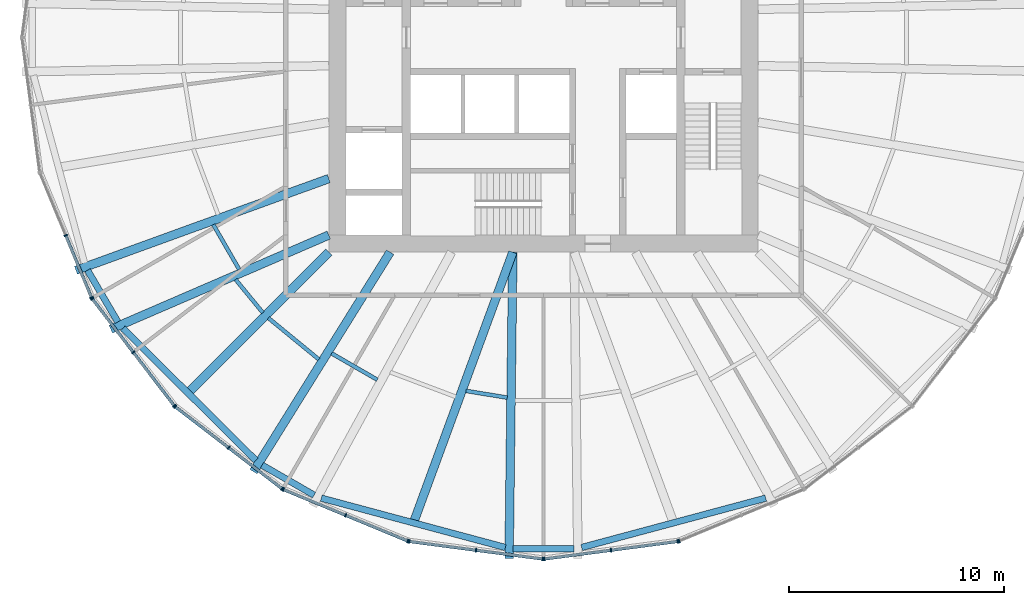
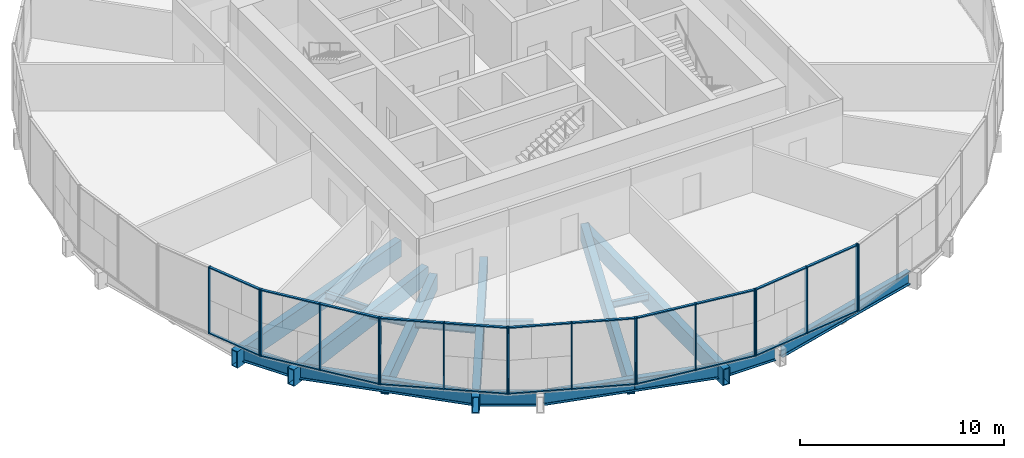
# One storey, part 1 of 13: 40 members, 17 beams, 7 elements without a shape of their own.
"""IFC4 building model written with IfcOpenShell, lengths in metres."""

from ifc_helpers import new_model, si_unit, direction, frame, origin, origin_2d, place, context, subcontext, project, spatial, rectangle, hollow_rectangle, i_section, extrude, material, material_profile, profile_set, type_object, element, aggregate, save


model = new_model("IFC4")

# Units and contexts
model_context = context("Model", 3, precision=1e-05, world=origin(), true_north=direction((0.0, 1.0)))
body_context = subcontext(model_context, "Body", "Model", "MODEL_VIEW")
ifc_project = project(units=[si_unit("LENGTHUNIT", "METRE"), si_unit("AREAUNIT", "SQUARE_METRE"), si_unit("VOLUMEUNIT", "CUBIC_METRE"), si_unit("PLANEANGLEUNIT", "RADIAN"), si_unit("MASSUNIT", "GRAM", prefix="KILO")], contexts=[model_context])

# Site, building, storey
site_placement = place(None, origin())
site = spatial("IfcSite", under=ifc_project, at=site_placement, CompositionType="ELEMENT")
building_placement = place(site_placement, origin())
building = spatial("IfcBuilding", under=site, at=building_placement, Name="Golbaran Civic Tower", CompositionType="ELEMENT")
storey_placement = place(building_placement, frame((0.0, 0.0, 81.0)))
storey = spatial("IfcBuildingStorey", under=building, at=storey_placement, Name="L19", CompositionType="ELEMENT", Elevation=81.0)

# Beams
ifc_material_1 = material(Name="Steel S355", Category="steel")
ifc_material_profile_1 = material_profile(ifc_material_1, i_section(OverallWidth=0.300048828125, OverallDepth=0.800048828125, WebThickness=0.017578125, FlangeThickness=0.032958984375, FilletRadius=0.030029296875, at=origin_2d()), Name="HEB 800")
ifc_profile_set_1 = profile_set([ifc_material_profile_1], Name="Steel S355")
beam_type_1 = type_object("IfcBeamType", Name="EDGE BEAM HEB 800", PredefinedType="BEAM", material=ifc_profile_set_1)
beam_1_placement = place(storey_placement, frame((-21.234619140625, -10.838623046875, -0.60009765625), z_axis=(0.505995527103, -0.862536101593, 0.0), x_axis=(0.862536101593, 0.505995527103, 0.0)))
element("IfcBeam", 1, at=beam_1_placement, inside=storey, type_object=beam_type_1, Name="Edge beam 206.30 L19", PredefinedType="BEAM", context=body_context, shape_type="SweptSolid", body=[
    extrude(i_section(OverallWidth=0.300048828125, OverallDepth=0.800048828125, WebThickness=0.017578125, FlangeThickness=0.032958984375, FilletRadius=0.030029296875, at=origin_2d()), origin(), (0.0, 0.0, 1.0), 2.791748046875),
])
beam_2_placement = place(storey_placement, frame((-19.5927734375, -13.53955078125, -0.60009765625), z_axis=(0.70960352002, -0.704601195269, 0.0), x_axis=(0.704601195269, 0.70960352002, 0.0)))
element("IfcBeam", 2, at=beam_2_placement, inside=storey, type_object=beam_type_1, Name="Edge beam 213.70 L19", PredefinedType="BEAM", context=body_context, shape_type="SweptSolid", body=[
    extrude(i_section(OverallWidth=0.300048828125, OverallDepth=0.800048828125, WebThickness=0.017578125, FlangeThickness=0.032958984375, FilletRadius=0.030029296875, at=origin_2d()), origin(), (0.0, 0.0, 1.0), 8.736083984375),
])
beam_3_placement = place(storey_placement, frame((-13.1064453125, -19.9150390625, -0.60009765625), z_axis=(0.866130378223, -0.499818134844, 0.0), x_axis=(0.499818134844, 0.866130378223, 0.0)))
element("IfcBeam", 3, at=beam_3_placement, inside=storey, type_object=beam_type_1, Name="Edge beam 236.30 L19", PredefinedType="BEAM", context=body_context, shape_type="SweptSolid", body=[
    extrude(i_section(OverallWidth=0.300048828125, OverallDepth=0.800048828125, WebThickness=0.017578125, FlangeThickness=0.032958984375, FilletRadius=0.030029296875, at=origin_2d()), origin(), (0.0, 0.0, 1.0), 2.7978515625),
])
beam_4_placement = place(storey_placement, frame((-10.34814453125, -21.451416015625, -0.60009765625), z_axis=(0.965861810463, -0.259057837344, 0.0), x_axis=(0.259057837344, 0.965861810463, 0.0)))
element("IfcBeam", 4, at=beam_4_placement, inside=storey, type_object=beam_type_1, Name="Edge beam 243.70 L19", PredefinedType="BEAM", context=body_context, shape_type="SweptSolid", body=[
    extrude(i_section(OverallWidth=0.300048828125, OverallDepth=0.800048828125, WebThickness=0.017578125, FlangeThickness=0.032958984375, FilletRadius=0.030029296875, at=origin_2d()), origin(), (0.0, 0.0, 1.0), 8.874755859375),
])
beam_5_placement = place(storey_placement, frame((-1.4169921875, -23.798583984375, -0.60009765625), z_axis=(1.0, 0.0, 0.0), x_axis=(0.0, 1.0, 0.0)))
element("IfcBeam", 5, at=beam_5_placement, inside=storey, type_object=beam_type_1, Name="Edge beam 266.30 L19", PredefinedType="BEAM", context=body_context, shape_type="SweptSolid", body=[
    extrude(i_section(OverallWidth=0.300048828125, OverallDepth=0.800048828125, WebThickness=0.017578125, FlangeThickness=0.032958984375, FilletRadius=0.030029296875, at=origin_2d()), origin(), (0.0, 0.0, 1.0), 2.833984375),
])
beam_6_placement = place(storey_placement, frame((1.7763671875, -23.75048828125, -0.60009765625), z_axis=(0.965861810463, 0.259057837344, 0.0), x_axis=(-0.259057837344, 0.965861810463, 0.0)))
element("IfcBeam", 6, at=beam_6_placement, inside=storey, type_object=beam_type_1, Name="Edge beam 273.70 L19", PredefinedType="BEAM", context=body_context, shape_type="SweptSolid", body=[
    extrude(i_section(OverallWidth=0.300048828125, OverallDepth=0.800048828125, WebThickness=0.017578125, FlangeThickness=0.032958984375, FilletRadius=0.030029296875, at=origin_2d()), origin(), (0.0, 0.0, 1.0), 8.874755859375),
])
ifc_material_profile_2 = material_profile(ifc_material_1, i_section(OverallWidth=0.179931640625, OverallDepth=0.39990234375, WebThickness=0.008544921875, FlangeThickness=0.013427734375, FilletRadius=0.02099609375, at=origin_2d()), Name="IPE 400")
ifc_profile_set_2 = profile_set([ifc_material_profile_2], Name="Steel S355")
beam_type_2 = type_object("IfcBeamType", Name="FLOOR INFILL BEAM IPE 400", PredefinedType="BEAM", material=ifc_profile_set_2)
beam_7_placement = place(storey_placement, frame((-15.377197265625, -8.713623046875, -0.39990234375), z_axis=(0.500031663174, -0.866007122271, 0.0), x_axis=(0.866007122271, 0.500031663174, 0.0)))
element("IfcBeam", 7, at=beam_7_placement, inside=storey, type_object=beam_type_2, Name="Infill beam 210.00 L19", PredefinedType="BEAM", context=body_context, shape_type="SweptSolid", body=[
    extrude(i_section(OverallWidth=0.179931640625, OverallDepth=0.39990234375, WebThickness=0.008544921875, FlangeThickness=0.013427734375, FilletRadius=0.02099609375, at=origin_2d()), origin(), (0.0, 0.0, 1.0), 2.414794921875),
])
beam_8_placement = place(storey_placement, frame((-14.33837890625, -11.27001953125, -0.39990234375), z_axis=(0.634002188449, -0.77333125182, 0.0), x_axis=(0.77333125182, 0.634002188449, 0.0)))
element("IfcBeam", 8, at=beam_8_placement, inside=storey, type_object=beam_type_2, Name="Infill beam 219.35 L19", PredefinedType="BEAM", context=body_context, shape_type="SweptSolid", body=[
    extrude(i_section(OverallWidth=0.179931640625, OverallDepth=0.39990234375, WebThickness=0.008544921875, FlangeThickness=0.013427734375, FilletRadius=0.02099609375, at=origin_2d()), origin(), (0.0, 0.0, 1.0), 1.999267578125),
])
beam_9_placement = place(storey_placement, frame((-12.810302734375, -13.06494140625, -0.39990234375), z_axis=(0.773311950951, -0.634025730169, 0.0), x_axis=(0.634025730169, 0.773311950951, 0.0)))
element("IfcBeam", 9, at=beam_9_placement, inside=storey, type_object=beam_type_2, Name="Infill beam 230.65 L19", PredefinedType="BEAM", context=body_context, shape_type="SweptSolid", body=[
    extrude(i_section(OverallWidth=0.179931640625, OverallDepth=0.39990234375, WebThickness=0.008544921875, FlangeThickness=0.013427734375, FilletRadius=0.02099609375, at=origin_2d()), origin(), (0.0, 0.0, 1.0), 3.035888671875),
])
beam_10_placement = place(storey_placement, frame((-9.865478515625, -14.711669921875, -0.39990234375), z_axis=(0.866029801145, -0.49999238347, 0.0), x_axis=(0.49999238347, 0.866029801145, 0.0)))
element("IfcBeam", 10, at=beam_10_placement, inside=storey, type_object=beam_type_2, Name="Infill beam 240.00 L19", PredefinedType="BEAM", context=body_context, shape_type="SweptSolid", body=[
    extrude(i_section(OverallWidth=0.179931640625, OverallDepth=0.39990234375, WebThickness=0.008544921875, FlangeThickness=0.013427734375, FilletRadius=0.02099609375, at=origin_2d()), origin(), (0.0, 0.0, 1.0), 2.453125),
])
beam_11_placement = place(storey_placement, frame((-3.60791015625, -16.457275390625, -0.39990234375), z_axis=(0.986728144037, -0.162380940275, 0.0), x_axis=(0.162380940275, 0.986728144037, 0.0)))
element("IfcBeam", 11, at=beam_11_placement, inside=storey, type_object=beam_type_2, Name="Infill beam 260.65 L19", PredefinedType="BEAM", context=body_context, shape_type="SweptSolid", body=[
    extrude(i_section(OverallWidth=0.179931640625, OverallDepth=0.39990234375, WebThickness=0.008544921875, FlangeThickness=0.013427734375, FilletRadius=0.02099609375, at=origin_2d()), origin(), (0.0, 0.0, 1.0), 1.942626953125),
])

# Curtain wall, members
ifc_material_2 = material(Name="Aluminium and glass", Category="aluminium")
curtain_wall_type = type_object("IfcCurtainWallType", Name="INNER SKIN CURTAIN WALL", PredefinedType="NOTDEFINED", material=ifc_material_2)
curtain_wall_1_placement = place(storey_placement, origin())
curtain_wall_1 = element("IfcCurtainWall", 12, at=curtain_wall_1_placement, inside=storey, type_object=curtain_wall_type, Name="Inner skin L19 facet 14 CW1", ObjectType="INNER SKIN", PredefinedType="USERDEFINED")
ifc_material_3 = material(Name="Aluminium", Category="aluminium")
ifc_material_profile_3 = material_profile(ifc_material_3, rectangle(XDim=0.179931640625, YDim=0.06494140625, at=origin_2d()), Name="INNER SKIN CURTAIN WALL MULLION")
ifc_profile_set_3 = profile_set([ifc_material_profile_3], Name="Aluminium")
member_type_1 = type_object("IfcMemberType", Name="INNER SKIN CURTAIN WALL MULLION", PredefinedType="MULLION", material=ifc_profile_set_3)
member_1_placement = place(storey_placement, frame((-22.2490234375, -9.2158203125, 0.0), z_axis=(0.0, 0.0, 1.0), x_axis=(0.923879532478, 0.382683432446, 0.0)))
member_1 = element("IfcMember", 13, at=member_1_placement, type_object=member_type_1, Name="CW1 mullion 2", PredefinedType="MULLION", context=body_context, shape_type="SweptSolid", body=[
    extrude(rectangle(XDim=0.179931640625, YDim=0.06494140625, at=origin_2d()), origin(), (0.0, 0.0, 1.0), 4.0),
])
member_2_placement = place(storey_placement, frame((-21.048095703125, -12.114990234375, 0.0), z_axis=(0.0, 0.0, 1.0), x_axis=(0.923879532478, 0.382683432446, 0.0)))
member_2 = element("IfcMember", 14, at=member_2_placement, type_object=member_type_1, Name="CW1 mullion 3", PredefinedType="MULLION", context=body_context, shape_type="SweptSolid", body=[
    extrude(rectangle(XDim=0.179931640625, YDim=0.06494140625, at=origin_2d()), origin(), (0.0, 0.0, 1.0), 4.0),
])

curtain_wall_2_placement = place(storey_placement, origin())
curtain_wall_2 = element("IfcCurtainWall", 15, at=curtain_wall_2_placement, inside=storey, type_object=curtain_wall_type, Name="Inner skin L19 facet 15 CW1", ObjectType="INNER SKIN", PredefinedType="USERDEFINED")
member_3_placement = place(storey_placement, frame((-21.015869140625, -12.1708984375, 0.0), z_axis=(0.0, 0.0, 1.0), x_axis=(0.793353340281, 0.608761429023, 0.0)))
member_3 = element("IfcMember", 16, at=member_3_placement, type_object=member_type_1, Name="CW1 mullion 1", PredefinedType="MULLION", context=body_context, shape_type="SweptSolid", body=[
    extrude(rectangle(XDim=0.179931640625, YDim=0.06494140625, at=origin_2d()), origin(), (0.0, 0.0, 1.0), 4.0),
])
member_4_placement = place(storey_placement, frame((-19.105712890625, -14.660400390625, 0.0), z_axis=(0.0, 0.0, 1.0), x_axis=(0.793353340281, 0.608761429023, 0.0)))
member_4 = element("IfcMember", 17, at=member_4_placement, type_object=member_type_1, Name="CW1 mullion 2", PredefinedType="MULLION", context=body_context, shape_type="SweptSolid", body=[
    extrude(rectangle(XDim=0.179931640625, YDim=0.06494140625, at=origin_2d()), origin(), (0.0, 0.0, 1.0), 4.0),
])
member_5_placement = place(storey_placement, frame((-17.1953125, -17.14990234375, 0.0), z_axis=(0.0, 0.0, 1.0), x_axis=(0.793353340281, 0.608761429023, 0.0)))
member_5 = element("IfcMember", 18, at=member_5_placement, type_object=member_type_1, Name="CW1 mullion 3", PredefinedType="MULLION", context=body_context, shape_type="SweptSolid", body=[
    extrude(rectangle(XDim=0.179931640625, YDim=0.06494140625, at=origin_2d()), origin(), (0.0, 0.0, 1.0), 4.0),
])

curtain_wall_3_placement = place(storey_placement, origin())
curtain_wall_3 = element("IfcCurtainWall", 19, at=curtain_wall_3_placement, inside=storey, type_object=curtain_wall_type, Name="Inner skin L19 facet 16 CW1", ObjectType="INNER SKIN", PredefinedType="USERDEFINED")
member_6_placement = place(storey_placement, frame((-17.14990234375, -17.1953125, 0.0), z_axis=(0.0, 0.0, 1.0), x_axis=(0.608761429023, 0.793353340281, 0.0)))
member_6 = element("IfcMember", 20, at=member_6_placement, type_object=member_type_1, Name="CW1 mullion 1", PredefinedType="MULLION", context=body_context, shape_type="SweptSolid", body=[
    extrude(rectangle(XDim=0.179931640625, YDim=0.06494140625, at=origin_2d()), origin(), (0.0, 0.0, 1.0), 4.0),
])
member_7_placement = place(storey_placement, frame((-14.660400390625, -19.105712890625, 0.0), z_axis=(0.0, 0.0, 1.0), x_axis=(0.608761429023, 0.793353340281, 0.0)))
member_7 = element("IfcMember", 21, at=member_7_placement, type_object=member_type_1, Name="CW1 mullion 2", PredefinedType="MULLION", context=body_context, shape_type="SweptSolid", body=[
    extrude(rectangle(XDim=0.179931640625, YDim=0.06494140625, at=origin_2d()), origin(), (0.0, 0.0, 1.0), 4.0),
])
member_8_placement = place(storey_placement, frame((-12.1708984375, -21.015869140625, 0.0), z_axis=(0.0, 0.0, 1.0), x_axis=(0.608761429023, 0.793353340281, 0.0)))
member_8 = element("IfcMember", 22, at=member_8_placement, type_object=member_type_1, Name="CW1 mullion 3", PredefinedType="MULLION", context=body_context, shape_type="SweptSolid", body=[
    extrude(rectangle(XDim=0.179931640625, YDim=0.06494140625, at=origin_2d()), origin(), (0.0, 0.0, 1.0), 4.0),
])

curtain_wall_4_placement = place(storey_placement, origin())
curtain_wall_4 = element("IfcCurtainWall", 23, at=curtain_wall_4_placement, inside=storey, type_object=curtain_wall_type, Name="Inner skin L19 facet 17 CW1", ObjectType="INNER SKIN", PredefinedType="USERDEFINED")
member_9_placement = place(storey_placement, frame((-12.114990234375, -21.048095703125, 0.0), z_axis=(0.0, 0.0, 1.0), x_axis=(0.382683432446, 0.923879532478, 0.0)))
member_9 = element("IfcMember", 24, at=member_9_placement, type_object=member_type_1, Name="CW1 mullion 1", PredefinedType="MULLION", context=body_context, shape_type="SweptSolid", body=[
    extrude(rectangle(XDim=0.179931640625, YDim=0.06494140625, at=origin_2d()), origin(), (0.0, 0.0, 1.0), 4.0),
])
member_10_placement = place(storey_placement, frame((-9.2158203125, -22.2490234375, 0.0), z_axis=(0.0, 0.0, 1.0), x_axis=(0.382683432446, 0.923879532478, 0.0)))
member_10 = element("IfcMember", 25, at=member_10_placement, type_object=member_type_1, Name="CW1 mullion 2", PredefinedType="MULLION", context=body_context, shape_type="SweptSolid", body=[
    extrude(rectangle(XDim=0.179931640625, YDim=0.06494140625, at=origin_2d()), origin(), (0.0, 0.0, 1.0), 4.0),
])
member_11_placement = place(storey_placement, frame((-6.316650390625, -23.449951171875, 0.0), z_axis=(0.0, 0.0, 1.0), x_axis=(0.382683432446, 0.923879532478, 0.0)))
member_11 = element("IfcMember", 26, at=member_11_placement, type_object=member_type_1, Name="CW1 mullion 3", PredefinedType="MULLION", context=body_context, shape_type="SweptSolid", body=[
    extrude(rectangle(XDim=0.179931640625, YDim=0.06494140625, at=origin_2d()), origin(), (0.0, 0.0, 1.0), 4.0),
])

curtain_wall_5_placement = place(storey_placement, origin())
curtain_wall_5 = element("IfcCurtainWall", 27, at=curtain_wall_5_placement, inside=storey, type_object=curtain_wall_type, Name="Inner skin L19 facet 18 CW1", ObjectType="INNER SKIN", PredefinedType="USERDEFINED")
member_12_placement = place(storey_placement, frame((-6.25439453125, -23.466552734375, 0.0), z_axis=(0.0, 0.0, 1.0), x_axis=(0.130526192151, 0.991444861383, 0.0)))
member_12 = element("IfcMember", 28, at=member_12_placement, type_object=member_type_1, Name="CW1 mullion 1", PredefinedType="MULLION", context=body_context, shape_type="SweptSolid", body=[
    extrude(rectangle(XDim=0.179931640625, YDim=0.06494140625, at=origin_2d()), origin(), (0.0, 0.0, 1.0), 4.0),
])
member_13_placement = place(storey_placement, frame((-3.143310546875, -23.876220703125, 0.0), z_axis=(0.0, 0.0, 1.0), x_axis=(0.130526192151, 0.991444861383, 0.0)))
member_13 = element("IfcMember", 29, at=member_13_placement, type_object=member_type_1, Name="CW1 mullion 2", PredefinedType="MULLION", context=body_context, shape_type="SweptSolid", body=[
    extrude(rectangle(XDim=0.179931640625, YDim=0.06494140625, at=origin_2d()), origin(), (0.0, 0.0, 1.0), 4.0),
])
member_14_placement = place(storey_placement, frame((-0.0322265625, -24.28564453125, 0.0), z_axis=(0.0, 0.0, 1.0), x_axis=(0.130526192151, 0.991444861383, 0.0)))
member_14 = element("IfcMember", 30, at=member_14_placement, type_object=member_type_1, Name="CW1 mullion 3", PredefinedType="MULLION", context=body_context, shape_type="SweptSolid", body=[
    extrude(rectangle(XDim=0.179931640625, YDim=0.06494140625, at=origin_2d()), origin(), (0.0, 0.0, 1.0), 4.0),
])

curtain_wall_6_placement = place(storey_placement, origin())
curtain_wall_6 = element("IfcCurtainWall", 31, at=curtain_wall_6_placement, inside=storey, type_object=curtain_wall_type, Name="Inner skin L19 facet 19 CW1", ObjectType="INNER SKIN", PredefinedType="USERDEFINED")
member_15_placement = place(storey_placement, frame((0.0322265625, -24.28564453125, 0.0), z_axis=(0.0, 0.0, 1.0), x_axis=(-0.130526192151, 0.991444861383, 0.0)))
member_15 = element("IfcMember", 32, at=member_15_placement, type_object=member_type_1, Name="CW1 mullion 1", PredefinedType="MULLION", context=body_context, shape_type="SweptSolid", body=[
    extrude(rectangle(XDim=0.179931640625, YDim=0.06494140625, at=origin_2d()), origin(), (0.0, 0.0, 1.0), 4.0),
])
member_16_placement = place(storey_placement, frame((3.143310546875, -23.876220703125, 0.0), z_axis=(0.0, 0.0, 1.0), x_axis=(-0.130526192151, 0.991444861383, 0.0)))
member_16 = element("IfcMember", 33, at=member_16_placement, type_object=member_type_1, Name="CW1 mullion 2", PredefinedType="MULLION", context=body_context, shape_type="SweptSolid", body=[
    extrude(rectangle(XDim=0.179931640625, YDim=0.06494140625, at=origin_2d()), origin(), (0.0, 0.0, 1.0), 4.0),
])
member_17_placement = place(storey_placement, frame((6.25439453125, -23.466552734375, 0.0), z_axis=(0.0, 0.0, 1.0), x_axis=(-0.130526192151, 0.991444861383, 0.0)))
member_17 = element("IfcMember", 34, at=member_17_placement, type_object=member_type_1, Name="CW1 mullion 3", PredefinedType="MULLION", context=body_context, shape_type="SweptSolid", body=[
    extrude(rectangle(XDim=0.179931640625, YDim=0.06494140625, at=origin_2d()), origin(), (0.0, 0.0, 1.0), 4.0),
])

# Curtain wall, member
curtain_wall_7_placement = place(storey_placement, origin())
curtain_wall_7 = element("IfcCurtainWall", 35, at=curtain_wall_7_placement, inside=storey, type_object=curtain_wall_type, Name="Inner skin L19 facet 20 CW1", ObjectType="INNER SKIN", PredefinedType="USERDEFINED")
member_18_placement = place(storey_placement, frame((6.316650390625, -23.449951171875, 0.0), z_axis=(0.0, 0.0, 1.0), x_axis=(-0.382683432446, 0.923879532478, 0.0)))
member_18 = element("IfcMember", 36, at=member_18_placement, type_object=member_type_1, Name="CW1 mullion 1", PredefinedType="MULLION", context=body_context, shape_type="SweptSolid", body=[
    extrude(rectangle(XDim=0.179931640625, YDim=0.06494140625, at=origin_2d()), origin(), (0.0, 0.0, 1.0), 4.0),
])
aggregate(curtain_wall_7, [member_18])

# Member
ifc_material_profile_4 = material_profile(ifc_material_3, rectangle(XDim=0.139892578125, YDim=0.06494140625, at=origin_2d()), Name="INNER SKIN CURTAIN WALL TRANSOM")
ifc_profile_set_4 = profile_set([ifc_material_profile_4], Name="Aluminium")
member_type_2 = type_object("IfcMemberType", Name="INNER SKIN CURTAIN WALL TRANSOM", PredefinedType="USERDEFINED", material=ifc_profile_set_4)
member_19_placement = place(storey_placement, frame((-22.236572265625, -9.245849609375, 0.032470703125), z_axis=(0.382690924362, -0.923876429189, 0.0), x_axis=(0.923876429189, 0.382690924362, 0.0)))
member_19 = element("IfcMember", 37, at=member_19_placement, type_object=member_type_2, Name="CW1 transom 2.1", ObjectType="TRANSOM", PredefinedType="USERDEFINED", context=body_context, shape_type="SweptSolid", body=[
    extrude(rectangle(XDim=0.139892578125, YDim=0.06494140625, at=origin_2d()), origin(), (0.0, 0.0, 1.0), 3.072998046875),
])

member_20_placement = place(storey_placement, frame((-22.236572265625, -9.245849609375, 3.967529296875), z_axis=(0.382690924362, -0.923876429189, 0.0), x_axis=(0.923876429189, 0.382690924362, 0.0)))
member_20 = element("IfcMember", 38, at=member_20_placement, type_object=member_type_2, Name="CW1 transom 2.2", ObjectType="TRANSOM", PredefinedType="USERDEFINED", context=body_context, shape_type="SweptSolid", body=[
    extrude(rectangle(XDim=0.139892578125, YDim=0.06494140625, at=origin_2d()), origin(), (0.0, 0.0, 1.0), 3.072998046875),
])

aggregate(curtain_wall_1, [member_1, member_2, member_19, member_20])

member_21_placement = place(storey_placement, frame((-20.99609375, -12.196533203125, 0.032470703125), z_axis=(0.608735060571, -0.793373572809, 0.0), x_axis=(0.793373572809, 0.608735060571, 0.0)))
member_21 = element("IfcMember", 39, at=member_21_placement, type_object=member_type_2, Name="CW1 transom 1.1", ObjectType="TRANSOM", PredefinedType="USERDEFINED", context=body_context, shape_type="SweptSolid", body=[
    extrude(rectangle(XDim=0.139892578125, YDim=0.06494140625, at=origin_2d()), origin(), (0.0, 0.0, 1.0), 3.072998046875),
])

member_22_placement = place(storey_placement, frame((-20.99609375, -12.196533203125, 3.967529296875), z_axis=(0.608735060571, -0.793373572809, 0.0), x_axis=(0.793373572809, 0.608735060571, 0.0)))
member_22 = element("IfcMember", 40, at=member_22_placement, type_object=member_type_2, Name="CW1 transom 1.2", ObjectType="TRANSOM", PredefinedType="USERDEFINED", context=body_context, shape_type="SweptSolid", body=[
    extrude(rectangle(XDim=0.139892578125, YDim=0.06494140625, at=origin_2d()), origin(), (0.0, 0.0, 1.0), 3.072998046875),
])

member_23_placement = place(storey_placement, frame((-19.0859375, -14.68603515625, 0.032470703125), z_axis=(0.60878506519, -0.793335203052, 0.0), x_axis=(0.793335203052, 0.60878506519, 0.0)))
member_23 = element("IfcMember", 41, at=member_23_placement, type_object=member_type_2, Name="CW1 transom 2.1", ObjectType="TRANSOM", PredefinedType="USERDEFINED", context=body_context, shape_type="SweptSolid", body=[
    extrude(rectangle(XDim=0.139892578125, YDim=0.06494140625, at=origin_2d()), origin(), (0.0, 0.0, 1.0), 3.072998046875),
])

member_24_placement = place(storey_placement, frame((-19.0859375, -14.68603515625, 3.967529296875), z_axis=(0.60878506519, -0.793335203052, 0.0), x_axis=(0.793335203052, 0.60878506519, 0.0)))
member_24 = element("IfcMember", 42, at=member_24_placement, type_object=member_type_2, Name="CW1 transom 2.2", ObjectType="TRANSOM", PredefinedType="USERDEFINED", context=body_context, shape_type="SweptSolid", body=[
    extrude(rectangle(XDim=0.139892578125, YDim=0.06494140625, at=origin_2d()), origin(), (0.0, 0.0, 1.0), 3.072998046875),
])

aggregate(curtain_wall_2, [member_3, member_4, member_5, member_21, member_22, member_23, member_24])

member_25_placement = place(storey_placement, frame((-17.1240234375, -17.215087890625, 0.032470703125), z_axis=(0.793335203052, -0.60878506519, 0.0), x_axis=(0.60878506519, 0.793335203052, 0.0)))
member_25 = element("IfcMember", 43, at=member_25_placement, type_object=member_type_2, Name="CW1 transom 1.1", ObjectType="TRANSOM", PredefinedType="USERDEFINED", context=body_context, shape_type="SweptSolid", body=[
    extrude(rectangle(XDim=0.139892578125, YDim=0.06494140625, at=origin_2d()), origin(), (0.0, 0.0, 1.0), 3.072998046875),
])

member_26_placement = place(storey_placement, frame((-17.1240234375, -17.215087890625, 3.967529296875), z_axis=(0.793335203052, -0.60878506519, 0.0), x_axis=(0.60878506519, 0.793335203052, 0.0)))
member_26 = element("IfcMember", 44, at=member_26_placement, type_object=member_type_2, Name="CW1 transom 1.2", ObjectType="TRANSOM", PredefinedType="USERDEFINED", context=body_context, shape_type="SweptSolid", body=[
    extrude(rectangle(XDim=0.139892578125, YDim=0.06494140625, at=origin_2d()), origin(), (0.0, 0.0, 1.0), 3.072998046875),
])

member_27_placement = place(storey_placement, frame((-14.634521484375, -19.12548828125, 0.032470703125), z_axis=(0.793373572809, -0.608735060571, 0.0), x_axis=(0.608735060571, 0.793373572809, 0.0)))
member_27 = element("IfcMember", 45, at=member_27_placement, type_object=member_type_2, Name="CW1 transom 2.1", ObjectType="TRANSOM", PredefinedType="USERDEFINED", context=body_context, shape_type="SweptSolid", body=[
    extrude(rectangle(XDim=0.139892578125, YDim=0.06494140625, at=origin_2d()), origin(), (0.0, 0.0, 1.0), 3.072998046875),
])

member_28_placement = place(storey_placement, frame((-14.634521484375, -19.12548828125, 3.967529296875), z_axis=(0.793373572809, -0.608735060571, 0.0), x_axis=(0.608735060571, 0.793373572809, 0.0)))
member_28 = element("IfcMember", 46, at=member_28_placement, type_object=member_type_2, Name="CW1 transom 2.2", ObjectType="TRANSOM", PredefinedType="USERDEFINED", context=body_context, shape_type="SweptSolid", body=[
    extrude(rectangle(XDim=0.139892578125, YDim=0.06494140625, at=origin_2d()), origin(), (0.0, 0.0, 1.0), 3.072998046875),
])

aggregate(curtain_wall_3, [member_6, member_7, member_8, member_25, member_26, member_27, member_28])

member_29_placement = place(storey_placement, frame((-12.0849609375, -21.060546875, 0.032470703125), z_axis=(0.923876429189, -0.382690924362, 0.0), x_axis=(0.382690924362, 0.923876429189, 0.0)))
member_29 = element("IfcMember", 47, at=member_29_placement, type_object=member_type_2, Name="CW1 transom 1.1", ObjectType="TRANSOM", PredefinedType="USERDEFINED", context=body_context, shape_type="SweptSolid", body=[
    extrude(rectangle(XDim=0.139892578125, YDim=0.06494140625, at=origin_2d()), origin(), (0.0, 0.0, 1.0), 3.072998046875),
])

member_30_placement = place(storey_placement, frame((-12.0849609375, -21.060546875, 3.967529296875), z_axis=(0.923876429189, -0.382690924362, 0.0), x_axis=(0.382690924362, 0.923876429189, 0.0)))
member_30 = element("IfcMember", 48, at=member_30_placement, type_object=member_type_2, Name="CW1 transom 1.2", ObjectType="TRANSOM", PredefinedType="USERDEFINED", context=body_context, shape_type="SweptSolid", body=[
    extrude(rectangle(XDim=0.139892578125, YDim=0.06494140625, at=origin_2d()), origin(), (0.0, 0.0, 1.0), 3.072998046875),
])

member_31_placement = place(storey_placement, frame((-9.185791015625, -22.261474609375, 0.032470703125), z_axis=(0.923876429189, -0.382690924362, 0.0), x_axis=(0.382690924362, 0.923876429189, 0.0)))
member_31 = element("IfcMember", 49, at=member_31_placement, type_object=member_type_2, Name="CW1 transom 2.1", ObjectType="TRANSOM", PredefinedType="USERDEFINED", context=body_context, shape_type="SweptSolid", body=[
    extrude(rectangle(XDim=0.139892578125, YDim=0.06494140625, at=origin_2d()), origin(), (0.0, 0.0, 1.0), 3.072998046875),
])

member_32_placement = place(storey_placement, frame((-9.185791015625, -22.261474609375, 3.967529296875), z_axis=(0.923876429189, -0.382690924362, 0.0), x_axis=(0.382690924362, 0.923876429189, 0.0)))
member_32 = element("IfcMember", 50, at=member_32_placement, type_object=member_type_2, Name="CW1 transom 2.2", ObjectType="TRANSOM", PredefinedType="USERDEFINED", context=body_context, shape_type="SweptSolid", body=[
    extrude(rectangle(XDim=0.139892578125, YDim=0.06494140625, at=origin_2d()), origin(), (0.0, 0.0, 1.0), 3.072998046875),
])

aggregate(curtain_wall_4, [member_9, member_10, member_11, member_29, member_30, member_31, member_32])

member_33_placement = place(storey_placement, frame((-6.22216796875, -23.470703125, 0.032470703125), z_axis=(0.991443745979, -0.130534664207, 0.0), x_axis=(0.130534664207, 0.991443745979, 0.0)))
member_33 = element("IfcMember", 51, at=member_33_placement, type_object=member_type_2, Name="CW1 transom 1.1", ObjectType="TRANSOM", PredefinedType="USERDEFINED", context=body_context, shape_type="SweptSolid", body=[
    extrude(rectangle(XDim=0.139892578125, YDim=0.06494140625, at=origin_2d()), origin(), (0.0, 0.0, 1.0), 3.072998046875),
])

member_34_placement = place(storey_placement, frame((-6.22216796875, -23.470703125, 3.967529296875), z_axis=(0.991443745979, -0.130534664207, 0.0), x_axis=(0.130534664207, 0.991443745979, 0.0)))
member_34 = element("IfcMember", 52, at=member_34_placement, type_object=member_type_2, Name="CW1 transom 1.2", ObjectType="TRANSOM", PredefinedType="USERDEFINED", context=body_context, shape_type="SweptSolid", body=[
    extrude(rectangle(XDim=0.139892578125, YDim=0.06494140625, at=origin_2d()), origin(), (0.0, 0.0, 1.0), 3.072998046875),
])

member_35_placement = place(storey_placement, frame((-3.111083984375, -23.88037109375, 0.032470703125), z_axis=(0.991443745979, -0.130534664207, 0.0), x_axis=(0.130534664207, 0.991443745979, 0.0)))
member_35 = element("IfcMember", 53, at=member_35_placement, type_object=member_type_2, Name="CW1 transom 2.1", ObjectType="TRANSOM", PredefinedType="USERDEFINED", context=body_context, shape_type="SweptSolid", body=[
    extrude(rectangle(XDim=0.139892578125, YDim=0.06494140625, at=origin_2d()), origin(), (0.0, 0.0, 1.0), 3.072998046875),
])

member_36_placement = place(storey_placement, frame((-3.111083984375, -23.88037109375, 3.967529296875), z_axis=(0.991443745979, -0.130534664207, 0.0), x_axis=(0.130534664207, 0.991443745979, 0.0)))
member_36 = element("IfcMember", 54, at=member_36_placement, type_object=member_type_2, Name="CW1 transom 2.2", ObjectType="TRANSOM", PredefinedType="USERDEFINED", context=body_context, shape_type="SweptSolid", body=[
    extrude(rectangle(XDim=0.139892578125, YDim=0.06494140625, at=origin_2d()), origin(), (0.0, 0.0, 1.0), 3.072998046875),
])

aggregate(curtain_wall_5, [member_12, member_13, member_14, member_33, member_34, member_35, member_36])

member_37_placement = place(storey_placement, frame((0.064453125, -24.281494140625, 0.032470703125), z_axis=(0.991443745979, 0.130534664207, 0.0), x_axis=(-0.130534664207, 0.991443745979, 0.0)))
member_37 = element("IfcMember", 55, at=member_37_placement, type_object=member_type_2, Name="CW1 transom 1.1", ObjectType="TRANSOM", PredefinedType="USERDEFINED", context=body_context, shape_type="SweptSolid", body=[
    extrude(rectangle(XDim=0.139892578125, YDim=0.06494140625, at=origin_2d()), origin(), (0.0, 0.0, 1.0), 3.072998046875),
])

member_38_placement = place(storey_placement, frame((0.064453125, -24.281494140625, 3.967529296875), z_axis=(0.991443745979, 0.130534664207, 0.0), x_axis=(-0.130534664207, 0.991443745979, 0.0)))
member_38 = element("IfcMember", 56, at=member_38_placement, type_object=member_type_2, Name="CW1 transom 1.2", ObjectType="TRANSOM", PredefinedType="USERDEFINED", context=body_context, shape_type="SweptSolid", body=[
    extrude(rectangle(XDim=0.139892578125, YDim=0.06494140625, at=origin_2d()), origin(), (0.0, 0.0, 1.0), 3.072998046875),
])

member_39_placement = place(storey_placement, frame((3.175537109375, -23.871826171875, 0.032470703125), z_axis=(0.991443745979, 0.130534664207, 0.0), x_axis=(-0.130534664207, 0.991443745979, 0.0)))
member_39 = element("IfcMember", 57, at=member_39_placement, type_object=member_type_2, Name="CW1 transom 2.1", ObjectType="TRANSOM", PredefinedType="USERDEFINED", context=body_context, shape_type="SweptSolid", body=[
    extrude(rectangle(XDim=0.139892578125, YDim=0.06494140625, at=origin_2d()), origin(), (0.0, 0.0, 1.0), 3.072998046875),
])

member_40_placement = place(storey_placement, frame((3.175537109375, -23.871826171875, 3.967529296875), z_axis=(0.991443745979, 0.130534664207, 0.0), x_axis=(-0.130534664207, 0.991443745979, 0.0)))
member_40 = element("IfcMember", 58, at=member_40_placement, type_object=member_type_2, Name="CW1 transom 2.2", ObjectType="TRANSOM", PredefinedType="USERDEFINED", context=body_context, shape_type="SweptSolid", body=[
    extrude(rectangle(XDim=0.139892578125, YDim=0.06494140625, at=origin_2d()), origin(), (0.0, 0.0, 1.0), 3.072998046875),
])

aggregate(curtain_wall_6, [member_15, member_16, member_17, member_37, member_38, member_39, member_40])

# Beams
ifc_material_profile_5 = material_profile(ifc_material_1, hollow_rectangle(XDim=0.39990234375, YDim=1.0, WallThickness=0.050048828125, at=origin_2d()), Name="BOX 1000x400x50")
ifc_profile_set_5 = profile_set([ifc_material_profile_5], Name="Steel S355")
beam_type_3 = type_object("IfcBeamType", Name="RADIAL FLOOR BEAM BOX 1000x400x50", PredefinedType="BEAM", material=ifc_profile_set_5)
beam_12_placement = place(storey_placement, frame((-10.0, -6.571533203125, -0.7099609375), z_axis=(-0.940054931233, -0.34102305826, 0.0), x_axis=(0.34102305826, -0.940054931233, 0.0)))
element("IfcBeam", 59, at=beam_12_placement, inside=storey, type_object=beam_type_3, Name="Radial beam 206.30 L19", PredefinedType="BEAM", context=body_context, shape_type="SweptSolid", body=[
    extrude(hollow_rectangle(XDim=0.39990234375, YDim=1.0, WallThickness=0.050048828125, at=origin_2d()), origin(), (0.0, 0.0, 1.0), 12.525390625),
])
beam_13_placement = place(storey_placement, frame((-10.0, -9.199951171875, -0.7099609375), z_axis=(-0.918014134051, -0.396547663821, 0.0), x_axis=(0.396547663821, -0.918014134051, 0.0)))
element("IfcBeam", 60, at=beam_13_placement, inside=storey, type_object=beam_type_3, Name="Radial beam 213.70 L19", PredefinedType="BEAM", context=body_context, shape_type="SweptSolid", body=[
    extrude(hollow_rectangle(XDim=0.39990234375, YDim=1.0, WallThickness=0.050048828125, at=origin_2d()), origin(), (0.0, 0.0, 1.0), 11.057861328125),
])
beam_14_placement = place(storey_placement, frame((-7.142822265625, -10.0, -0.7099609375), z_axis=(-0.528687505514, -0.848816541729, 0.0), x_axis=(0.848816541729, -0.528687505514, 0.0)))
element("IfcBeam", 61, at=beam_14_placement, inside=storey, type_object=beam_type_3, Name="Radial beam 236.30 L19", PredefinedType="BEAM", context=body_context, shape_type="SweptSolid", body=[
    extrude(hollow_rectangle(XDim=0.39990234375, YDim=1.0, WallThickness=0.050048828125, at=origin_2d()), origin(), (0.0, 0.0, 1.0), 12.037353515625),
])
beam_15_placement = place(storey_placement, frame((-1.428466796875, -10.0, -0.7099609375), z_axis=(-0.012206322448, -0.999925500071, 0.0), x_axis=(0.999925500071, -0.012206322448, 0.0)))
element("IfcBeam", 62, at=beam_15_placement, inside=storey, type_object=beam_type_3, Name="Radial beam 266.30 L19", PredefinedType="BEAM", context=body_context, shape_type="SweptSolid", body=[
    extrude(hollow_rectangle(XDim=0.39990234375, YDim=1.0, WallThickness=0.050048828125, at=origin_2d()), origin(), (0.0, 0.0, 1.0), 14.2607421875),
])
ifc_material_profile_6 = material_profile(ifc_material_1, hollow_rectangle(XDim=0.39990234375, YDim=1.0, WallThickness=0.0400390625, at=origin_2d()), Name="BOX 1000x400x40")
ifc_profile_set_6 = profile_set([ifc_material_profile_6], Name="Steel S355")
beam_type_4 = type_object("IfcBeamType", Name="SECONDARY FLOOR BEAM BOX 1000x400x40", PredefinedType="BEAM", material=ifc_profile_set_6)
beam_16_placement = place(storey_placement, frame((-10.0, -10.0, -0.7099609375), z_axis=(-0.707106781187, -0.707106781187, 0.0), x_axis=(0.707106781187, -0.707106781187, 0.0)))
element("IfcBeam", 63, at=beam_16_placement, inside=storey, type_object=beam_type_4, Name="Secondary beam 225.00 L19", PredefinedType="BEAM", context=body_context, shape_type="SweptSolid", body=[
    extrude(hollow_rectangle(XDim=0.39990234375, YDim=1.0, WallThickness=0.0400390625, at=origin_2d()), origin(), (0.0, 0.0, 1.0), 9.270751953125),
])
beam_17_placement = place(storey_placement, frame((-1.428466796875, -10.0, -0.7099609375), z_axis=(-0.344714129969, -0.938707712017, 0.0), x_axis=(0.938707712017, -0.344714129969, 0.0)))
element("IfcBeam", 64, at=beam_17_placement, inside=storey, type_object=beam_type_4, Name="Secondary beam 255.00 L19", PredefinedType="BEAM", context=body_context, shape_type="SweptSolid", body=[
    extrude(hollow_rectangle(XDim=0.39990234375, YDim=1.0, WallThickness=0.0400390625, at=origin_2d()), origin(), (0.0, 0.0, 1.0), 13.42529296875),
])

save(model, "model.ifc")
